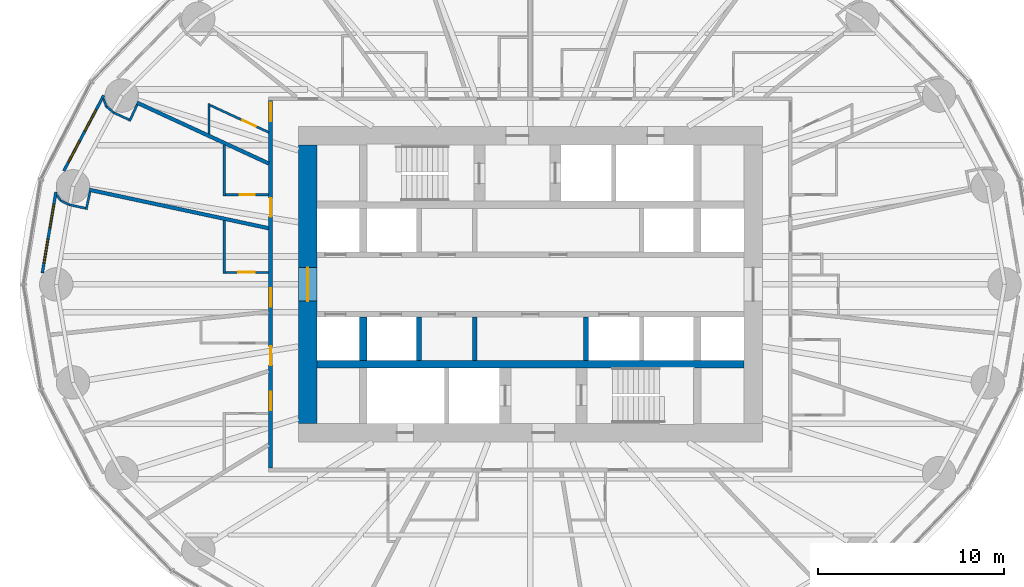
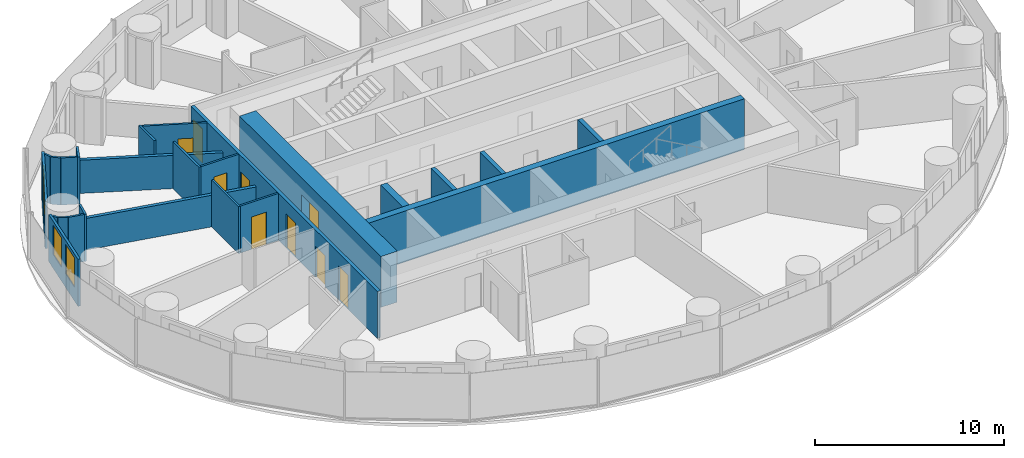
# One storey, part 7 of 13: 25 walls, 9 doors, 4 windows, 13 openings.
"""IFC4 building model written with IfcOpenShell, lengths in metres."""

from ifc_helpers import new_model, si_unit, direction, frame, frame_2d, origin, place, context, subcontext, project, spatial, rectangle, extrude, material, layer, layer_set, type_object, element, fill, save


model = new_model("IFC4")

# Units and contexts
model_context = context("Model", 3, precision=1e-05, world=origin(), true_north=direction((0.0, 1.0)))
body_context = subcontext(model_context, "Body", "Model", "MODEL_VIEW")
ifc_project = project(units=[si_unit("LENGTHUNIT", "METRE"), si_unit("AREAUNIT", "SQUARE_METRE"), si_unit("VOLUMEUNIT", "CUBIC_METRE"), si_unit("PLANEANGLEUNIT", "RADIAN"), si_unit("MASSUNIT", "GRAM", prefix="KILO")], contexts=[model_context])

# Site, building, storey
site_placement = place(None, origin())
site = spatial("IfcSite", under=ifc_project, at=site_placement, CompositionType="ELEMENT")
building_placement = place(site_placement, origin())
building = spatial("IfcBuilding", under=site, at=building_placement, Name="Hankou Lantern Tower", CompositionType="ELEMENT")
storey_placement = place(building_placement, frame((0.0, 0.0, 42.60009765625)))
storey = spatial("IfcBuildingStorey", under=building, at=storey_placement, Name="L09", CompositionType="ELEMENT", Elevation=42.60009765625)

# Wall, opening, door
ifc_material_1 = material(Name="Concrete C60", Category="concrete")
ifc_layer_1 = layer(ifc_material_1, 1.0)
ifc_layer_set_1 = layer_set([ifc_layer_1], Name="Concrete C60")
wall_type_1 = type_object("IfcWallType", Name="CW1 CORE WALL 1000", PredefinedType="SHEAR", material=ifc_layer_set_1)
wall_1_placement = place(storey_placement, frame((-12.0, 7.5, 0.0), z_axis=(0.0, 0.0, 1.0), x_axis=(0.0, -1.0, 0.0)))
wall_1 = element("IfcWall", 1, at=wall_1_placement, inside=storey, type_object=wall_type_1, Name="Core wall west L09", PredefinedType="SHEAR", context=body_context, shape_type="SweptSolid", body=[
    extrude(rectangle(XDim=15.0, YDim=1.0, at=frame_2d((7.5, 0.0))), origin(), (0.0, 0.0, 1.0), 3.2998046875),
])
opening_1_placement = place(wall_1_placement, frame((6.60009765625, 0.0, 0.0)))
opening_1 = element("IfcOpeningElement", 2, at=opening_1_placement, cuts=wall_1, Name="Opening D6", PredefinedType="OPENING", context=body_context, shape_type="SweptSolid", body=[
    extrude(rectangle(XDim=1.800048828125, YDim=2.199951171875, at=frame_2d((0.89990234375, 1.10009765625))), frame((0.0, 0.510009765625, 0.0), z_axis=(0.0, -1.0, 0.0), x_axis=(1.0, 0.0, 0.0)), (0.0, 0.0, 1.0), 1.02001953125),
])
ifc_material_2 = material(Name="Steel door leaf", Category="steel")
door_type_1 = type_object("IfcDoorType", Name="D6 LIFT LOBBY DOOR 1800X2200", OperationType="DOUBLE_DOOR_DOUBLE_SWING", PredefinedType="DOOR", material=ifc_material_2)
door_1_placement = place(opening_1_placement, origin())
door_1 = element("IfcDoor", 3, at=door_1_placement, inside=storey, type_object=door_type_1, Name="Lift lobby west door", OperationType="DOUBLE_DOOR_DOUBLE_SWING", OverallHeight=2.199951171875, OverallWidth=1.800048828125, PredefinedType="DOOR", context=body_context, shape_type="SweptSolid", body=[
    extrude(rectangle(XDim=1.800048828125, YDim=2.199951171875, at=frame_2d((0.89990234375, 1.10009765625))), frame((0.0, 0.02490234375, 0.0), z_axis=(0.0, -1.0, 0.0), x_axis=(1.0, 0.0, 0.0)), (0.0, 0.0, 1.0), 0.050048828125),
])
fill(opening_1, door_1)

# Walls
ifc_material_3 = material(Name="Concrete C60", Category="concrete")
ifc_layer_2 = layer(ifc_material_3, 0.39990234375)
ifc_layer_set_2 = layer_set([ifc_layer_2], Name="Concrete C60")
wall_type_2 = type_object("IfcWallType", Name="CW4 CORE CROSS WALL 400", PredefinedType="SHEAR", material=ifc_layer_set_2)
wall_2_placement = place(storey_placement, frame((-11.5, -4.300048828125, 0.0), z_axis=(0.0, 0.0, 1.0), x_axis=(1.0, 0.0, 0.0)))
element("IfcWall", 4, at=wall_2_placement, inside=storey, type_object=wall_type_2, Name="Core band wall south L09", PredefinedType="SHEAR", context=body_context, shape_type="SweptSolid", body=[
    extrude(rectangle(XDim=23.0, YDim=0.39990234375, at=frame_2d((11.5, 0.0))), origin(), (0.0, 0.0, 1.0), 3.2998046875),
])
wall_3_placement = place(storey_placement, frame((-9.0, -4.10009765625, 0.0), z_axis=(0.0, 0.0, 1.0), x_axis=(0.0, 1.0, 0.0)))
element("IfcWall", 5, at=wall_3_placement, inside=storey, type_object=wall_type_2, Name="Core strip wall L09", PredefinedType="SHEAR", context=body_context, shape_type="SweptSolid", body=[
    extrude(rectangle(XDim=2.35009765625, YDim=0.39990234375, at=frame_2d((1.175048828125, 0.0))), origin(), (0.0, 0.0, 1.0), 3.2998046875),
])

# Wall, openings, windows
ifc_material_4 = material(Name="Aluminium spandrel panel on steel studs", Category="steel")
ifc_layer_3 = layer(ifc_material_4, 0.14990234375)
ifc_layer_set_3 = layer_set([ifc_layer_3], Name="Aluminium spandrel panel on steel studs")
wall_type_3 = type_object("IfcWallType", Name="EW1 INNER SKIN WALL 150", PredefinedType="ELEMENTEDWALL", material=ifc_layer_set_3)
wall_4_placement = place(storey_placement, frame((-22.986083984375, 10.185302734375, 0.0), z_axis=(0.0, 0.0, 1.0), x_axis=(-0.467303182954, -0.884097129959, 0.0)))
wall_4 = element("IfcWall", 6, at=wall_4_placement, inside=storey, type_object=wall_type_3, Name="Inner skin R11-R12 L09", PredefinedType="ELEMENTEDWALL", context=body_context, shape_type="SweptSolid", body=[
    extrude(rectangle(XDim=4.6064453125, YDim=0.14990234375, at=frame_2d((2.30322265625, 0.0))), origin(), (0.0, 0.0, 1.0), 3.0498046875),
])
opening_2_placement = place(wall_4_placement, frame((0.874755859375, 0.0, 0.89990234375)))
opening_2 = element("IfcOpeningElement", 7, at=opening_2_placement, cuts=wall_4, Name="Opening W9", PredefinedType="OPENING", context=body_context, shape_type="SweptSolid", body=[
    extrude(rectangle(XDim=1.300048828125, YDim=1.89990234375, at=frame_2d((0.64990234375, 0.949951171875))), frame((0.0, 0.0849609375, 0.0), z_axis=(0.0, -1.0, 0.0), x_axis=(1.0, 0.0, 0.0)), (0.0, 0.0, 1.0), 0.169921875),
])
opening_3_placement = place(wall_4_placement, frame((2.77490234375, 0.0, 0.89990234375)))
opening_3 = element("IfcOpeningElement", 8, at=opening_3_placement, cuts=wall_4, Name="Opening W9", PredefinedType="OPENING", context=body_context, shape_type="SweptSolid", body=[
    extrude(rectangle(XDim=1.300048828125, YDim=1.89990234375, at=frame_2d((0.64990234375, 0.949951171875))), frame((0.0, 0.0849609375, 0.0), z_axis=(0.0, -1.0, 0.0), x_axis=(1.0, 0.0, 0.0)), (0.0, 0.0, 1.0), 0.169921875),
])
ifc_material_5 = material(Name="Aluminium framed double glazed window", Category="aluminium")
window_type = type_object("IfcWindowType", Name="W9 GUEST ROOM WINDOW 1300X1900", PartitioningType="DOUBLE_PANEL_VERTICAL", PredefinedType="WINDOW", material=ifc_material_5)
window_1_placement = place(opening_2_placement, origin())
window_1 = element("IfcWindow", 9, at=window_1_placement, inside=storey, type_object=window_type, Name="Window R11.1 L09", OverallHeight=1.89990234375, OverallWidth=1.300048828125, PartitioningType="SINGLE_PANEL", PredefinedType="WINDOW", context=body_context, shape_type="SweptSolid", body=[
    extrude(rectangle(XDim=1.300048828125, YDim=1.89990234375, at=frame_2d((0.64990234375, 0.949951171875))), frame((0.0, 0.030029296875, 0.0), z_axis=(0.0, -1.0, 0.0), x_axis=(1.0, 0.0, 0.0)), (0.0, 0.0, 1.0), 0.06005859375),
])
fill(opening_2, window_1)
window_2_placement = place(opening_3_placement, origin())
window_2 = element("IfcWindow", 10, at=window_2_placement, inside=storey, type_object=window_type, Name="Window R11.2 L09", OverallHeight=1.89990234375, OverallWidth=1.300048828125, PartitioningType="SINGLE_PANEL", PredefinedType="WINDOW", context=body_context, shape_type="SweptSolid", body=[
    extrude(rectangle(XDim=1.300048828125, YDim=1.89990234375, at=frame_2d((0.64990234375, 0.949951171875))), frame((0.0, 0.030029296875, 0.0), z_axis=(0.0, -1.0, 0.0), x_axis=(1.0, 0.0, 0.0)), (0.0, 0.0, 1.0), 0.06005859375),
])
fill(opening_3, window_2)

wall_5_placement = place(storey_placement, frame((-25.56396484375, 4.9775390625, 0.0), z_axis=(0.0, 0.0, 1.0), x_axis=(-0.165641751141, -0.986185991727, 0.0)))
wall_5 = element("IfcWall", 11, at=wall_5_placement, inside=storey, type_object=wall_type_3, Name="Inner skin R12-R13 L09", PredefinedType="ELEMENTEDWALL", context=body_context, shape_type="SweptSolid", body=[
    extrude(rectangle(XDim=4.427734375, YDim=0.14990234375, at=frame_2d((2.2138671875, 0.0))), origin(), (0.0, 0.0, 1.0), 3.0498046875),
])
opening_4_placement = place(wall_5_placement, frame((0.677734375, 0.0, 0.89990234375)))
opening_4 = element("IfcOpeningElement", 12, at=opening_4_placement, cuts=wall_5, Name="Opening W9", PredefinedType="OPENING", context=body_context, shape_type="SweptSolid", body=[
    extrude(rectangle(XDim=1.300048828125, YDim=1.89990234375, at=frame_2d((0.64990234375, 0.949951171875))), frame((0.0, 0.0849609375, 0.0), z_axis=(0.0, -1.0, 0.0), x_axis=(1.0, 0.0, 0.0)), (0.0, 0.0, 1.0), 0.169921875),
])
opening_5_placement = place(wall_5_placement, frame((2.57763671875, 0.0, 0.89990234375)))
opening_5 = element("IfcOpeningElement", 13, at=opening_5_placement, cuts=wall_5, Name="Opening W9", PredefinedType="OPENING", context=body_context, shape_type="SweptSolid", body=[
    extrude(rectangle(XDim=1.300048828125, YDim=1.89990234375, at=frame_2d((0.64990234375, 0.949951171875))), frame((0.0, 0.0849609375, 0.0), z_axis=(0.0, -1.0, 0.0), x_axis=(1.0, 0.0, 0.0)), (0.0, 0.0, 1.0), 0.169921875),
])
window_3_placement = place(opening_4_placement, origin())
window_3 = element("IfcWindow", 14, at=window_3_placement, inside=storey, type_object=window_type, Name="Window R12.1 L09", OverallHeight=1.89990234375, OverallWidth=1.300048828125, PartitioningType="SINGLE_PANEL", PredefinedType="WINDOW", context=body_context, shape_type="SweptSolid", body=[
    extrude(rectangle(XDim=1.300048828125, YDim=1.89990234375, at=frame_2d((0.64990234375, 0.949951171875))), frame((0.0, 0.030029296875, 0.0), z_axis=(0.0, -1.0, 0.0), x_axis=(1.0, 0.0, 0.0)), (0.0, 0.0, 1.0), 0.06005859375),
])
fill(opening_4, window_3)
window_4_placement = place(opening_5_placement, origin())
window_4 = element("IfcWindow", 15, at=window_4_placement, inside=storey, type_object=window_type, Name="Window R12.2 L09", OverallHeight=1.89990234375, OverallWidth=1.300048828125, PartitioningType="SINGLE_PANEL", PredefinedType="WINDOW", context=body_context, shape_type="SweptSolid", body=[
    extrude(rectangle(XDim=1.300048828125, YDim=1.89990234375, at=frame_2d((0.64990234375, 0.949951171875))), frame((0.0, 0.030029296875, 0.0), z_axis=(0.0, -1.0, 0.0), x_axis=(1.0, 0.0, 0.0)), (0.0, 0.0, 1.0), 0.06005859375),
])
fill(opening_5, window_4)

# Walls
ifc_material_6 = material(Name="Masonry lightweight concrete block", Category="masonry")
ifc_layer_4 = layer(ifc_material_6, 0.199951171875)
ifc_layer_set_4 = layer_set([ifc_layer_4], Name="Masonry lightweight concrete block")
wall_type_4 = type_object("IfcWallType", Name="IW1 GUEST ROOM PARTY WALL 200", PredefinedType="PARTITIONING", material=ifc_layer_set_4)
wall_6_placement = place(storey_placement, frame((-14.10009765625, 6.512451171875, 0.0), z_axis=(0.0, 0.0, 1.0), x_axis=(-0.907842433118, 0.41931147925, 0.0)))
element("IfcWall", 16, at=wall_6_placement, inside=storey, type_object=wall_type_4, Name="Party wall R11", PredefinedType="PARTITIONING", context=body_context, shape_type="SweptSolid", body=[
    extrude(rectangle(XDim=7.822998046875, YDim=0.199951171875, at=frame_2d((3.91162109375, 0.0))), origin(), (0.0, 0.0, 1.0), 2.14990234375),
])
wall_7_placement = place(storey_placement, frame((-14.10009765625, 3.0224609375, 0.0), z_axis=(0.0, 0.0, 1.0), x_axis=(-0.977786510688, 0.209603290805, 0.0)))
element("IfcWall", 17, at=wall_7_placement, inside=storey, type_object=wall_type_4, Name="Party wall R12", PredefinedType="PARTITIONING", context=body_context, shape_type="SweptSolid", body=[
    extrude(rectangle(XDim=9.88671875, YDim=0.199951171875, at=frame_2d((4.943359375, 0.0))), origin(), (0.0, 0.0, 1.0), 2.0498046875),
])

# Wall, openings, doors
ifc_material_7 = material(Name="Masonry lightweight concrete block", Category="masonry")
ifc_layer_5 = layer(ifc_material_7, 0.199951171875)
ifc_layer_set_5 = layer_set([ifc_layer_5], Name="Masonry lightweight concrete block")
wall_type_5 = type_object("IfcWallType", Name="IW2 CORRIDOR WALL 200", PredefinedType="PARTITIONING", material=ifc_layer_set_5)
wall_8_placement = place(storey_placement, frame((-14.0, 9.89990234375, 0.0), z_axis=(0.0, 0.0, 1.0), x_axis=(0.0, -1.0, 0.0)))
wall_8 = element("IfcWall", 18, at=wall_8_placement, inside=storey, type_object=wall_type_5, Name="Corridor wall west", PredefinedType="PARTITIONING", context=body_context, shape_type="SweptSolid", body=[
    extrude(rectangle(XDim=19.7998046875, YDim=0.199951171875, at=frame_2d((9.89990234375, 0.0))), origin(), (0.0, 0.0, 1.0), 3.0498046875),
])
opening_6_placement = place(wall_8_placement, frame((0.1025390625, 0.0, 0.0)))
opening_6 = element("IfcOpeningElement", 19, at=opening_6_placement, cuts=wall_8, Name="Opening D1", PredefinedType="OPENING", context=body_context, shape_type="SweptSolid", body=[
    extrude(rectangle(XDim=1.0, YDim=2.199951171875, at=frame_2d((0.5, 1.10009765625))), frame((0.0, 0.10986328125, 0.0), z_axis=(0.0, -1.0, 0.0), x_axis=(1.0, 0.0, 0.0)), (0.0, 0.0, 1.0), 0.219970703125),
])
opening_7_placement = place(wall_8_placement, frame((5.25244140625, 0.0, 0.0)))
opening_7 = element("IfcOpeningElement", 20, at=opening_7_placement, cuts=wall_8, Name="Opening D35", PredefinedType="OPENING", context=body_context, shape_type="SweptSolid", body=[
    extrude(rectangle(XDim=1.0, YDim=2.0, at=frame_2d((0.5, 1.0))), frame((0.0, 0.10986328125, 0.0), z_axis=(0.0, -1.0, 0.0), x_axis=(1.0, 0.0, 0.0)), (0.0, 0.0, 1.0), 0.219970703125),
])
opening_8_placement = place(wall_8_placement, frame((10.117431640625, 0.0, 0.0)))
opening_8 = element("IfcOpeningElement", 21, at=opening_8_placement, cuts=wall_8, Name="Opening D1", PredefinedType="OPENING", context=body_context, shape_type="SweptSolid", body=[
    extrude(rectangle(XDim=1.0, YDim=2.199951171875, at=frame_2d((0.5, 1.10009765625))), frame((0.0, 0.10986328125, 0.0), z_axis=(0.0, -1.0, 0.0), x_axis=(1.0, 0.0, 0.0)), (0.0, 0.0, 1.0), 0.219970703125),
])
opening_9_placement = place(wall_8_placement, frame((13.2470703125, 0.0, 0.0)))
opening_9 = element("IfcOpeningElement", 22, at=opening_9_placement, cuts=wall_8, Name="Opening D35", PredefinedType="OPENING", context=body_context, shape_type="SweptSolid", body=[
    extrude(rectangle(XDim=1.0, YDim=2.0, at=frame_2d((0.5, 1.0))), frame((0.0, 0.10986328125, 0.0), z_axis=(0.0, -1.0, 0.0), x_axis=(1.0, 0.0, 0.0)), (0.0, 0.0, 1.0), 0.219970703125),
])
opening_10_placement = place(wall_8_placement, frame((15.678955078125, 0.0, 0.0)))
opening_10 = element("IfcOpeningElement", 23, at=opening_10_placement, cuts=wall_8, Name="Opening D1", PredefinedType="OPENING", context=body_context, shape_type="SweptSolid", body=[
    extrude(rectangle(XDim=1.0, YDim=2.199951171875, at=frame_2d((0.5, 1.10009765625))), frame((0.0, 0.10986328125, 0.0), z_axis=(0.0, -1.0, 0.0), x_axis=(1.0, 0.0, 0.0)), (0.0, 0.0, 1.0), 0.219970703125),
])
ifc_material_8 = material(Name="Steel door leaf", Category="steel")
door_type_2 = type_object("IfcDoorType", Name="D1 GUEST ROOM DOOR 1000X2200", OperationType="SINGLE_SWING_LEFT", PredefinedType="DOOR", material=ifc_material_8)
door_2_placement = place(opening_6_placement, origin())
door_2 = element("IfcDoor", 24, at=door_2_placement, inside=storey, type_object=door_type_2, Name="Guest room door 0910", OperationType="SINGLE_SWING_LEFT", OverallHeight=2.199951171875, OverallWidth=1.0, PredefinedType="DOOR", context=body_context, shape_type="SweptSolid", body=[
    extrude(rectangle(XDim=1.0, YDim=2.199951171875, at=frame_2d((0.5, 1.10009765625))), frame((0.0, 0.02490234375, 0.0), z_axis=(0.0, -1.0, 0.0), x_axis=(1.0, 0.0, 0.0)), (0.0, 0.0, 1.0), 0.050048828125),
])
fill(opening_6, door_2)
door_3_placement = place(opening_8_placement, origin())
door_3 = element("IfcDoor", 25, at=door_3_placement, inside=storey, type_object=door_type_2, Name="Guest room door 0912", OperationType="SINGLE_SWING_RIGHT", OverallHeight=2.199951171875, OverallWidth=1.0, PredefinedType="DOOR", context=body_context, shape_type="SweptSolid", body=[
    extrude(rectangle(XDim=1.0, YDim=2.199951171875, at=frame_2d((0.5, 1.10009765625))), frame((0.0, 0.02490234375, 0.0), z_axis=(0.0, -1.0, 0.0), x_axis=(1.0, 0.0, 0.0)), (0.0, 0.0, 1.0), 0.050048828125),
])
fill(opening_8, door_3)
door_4_placement = place(opening_10_placement, origin())
door_4 = element("IfcDoor", 26, at=door_4_placement, inside=storey, type_object=door_type_2, Name="Guest room door 0914", OperationType="SINGLE_SWING_RIGHT", OverallHeight=2.199951171875, OverallWidth=1.0, PredefinedType="DOOR", context=body_context, shape_type="SweptSolid", body=[
    extrude(rectangle(XDim=1.0, YDim=2.199951171875, at=frame_2d((0.5, 1.10009765625))), frame((0.0, 0.02490234375, 0.0), z_axis=(0.0, -1.0, 0.0), x_axis=(1.0, 0.0, 0.0)), (0.0, 0.0, 1.0), 0.050048828125),
])
fill(opening_10, door_4)
ifc_material_9 = material(Name="Steel door leaf", Category="steel")
door_type_3 = type_object("IfcDoorType", Name="D35 GUEST ROOM DOOR 1000X2000", OperationType="SINGLE_SWING_LEFT", PredefinedType="DOOR", material=ifc_material_9)
door_5_placement = place(opening_7_placement, origin())
door_5 = element("IfcDoor", 27, at=door_5_placement, inside=storey, type_object=door_type_3, Name="Guest room door 0911", OperationType="SINGLE_SWING_LEFT", OverallHeight=2.0, OverallWidth=1.0, PredefinedType="DOOR", context=body_context, shape_type="SweptSolid", body=[
    extrude(rectangle(XDim=1.0, YDim=2.0, at=frame_2d((0.5, 1.0))), frame((0.0, 0.02490234375, 0.0), z_axis=(0.0, -1.0, 0.0), x_axis=(1.0, 0.0, 0.0)), (0.0, 0.0, 1.0), 0.050048828125),
])
fill(opening_7, door_5)
door_6_placement = place(opening_9_placement, origin())
door_6 = element("IfcDoor", 28, at=door_6_placement, inside=storey, type_object=door_type_3, Name="Guest room door 0913", OperationType="SINGLE_SWING_RIGHT", OverallHeight=2.0, OverallWidth=1.0, PredefinedType="DOOR", context=body_context, shape_type="SweptSolid", body=[
    extrude(rectangle(XDim=1.0, YDim=2.0, at=frame_2d((0.5, 1.0))), frame((0.0, 0.02490234375, 0.0), z_axis=(0.0, -1.0, 0.0), x_axis=(1.0, 0.0, 0.0)), (0.0, 0.0, 1.0), 0.050048828125),
])
fill(opening_9, door_6)

# Wall
ifc_material_10 = material(Name="Masonry lightweight concrete block", Category="masonry")
ifc_layer_6 = layer(ifc_material_10, 0.1201171875)
ifc_layer_set_6 = layer_set([ifc_layer_6], Name="Masonry lightweight concrete block")
wall_type_6 = type_object("IfcWallType", Name="IW3 BATHROOM WALL 120", PredefinedType="PARTITIONING", material=ifc_layer_set_6)
wall_9_placement = place(storey_placement, frame((-17.32275390625, 8.10107421875, 0.0), z_axis=(0.0, 0.0, 1.0), x_axis=(0.0, 1.0, 0.0)))
element("IfcWall", 29, at=wall_9_placement, inside=storey, type_object=wall_type_6, Name="Box wall 0910 1", PredefinedType="PARTITIONING", context=body_context, shape_type="SweptSolid", body=[
    extrude(rectangle(XDim=1.639892578125, YDim=0.1201171875, at=frame_2d((0.81982421875, 0.0))), origin(), (0.0, 0.0, 1.0), 3.0498046875),
])

# Wall, opening, door
wall_10_placement = place(storey_placement, frame((-14.10009765625, 8.192626953125, 0.0), z_axis=(0.0, 0.0, 1.0), x_axis=(-0.907836493557, 0.419324338628, 0.0)))
wall_10 = element("IfcWall", 30, at=wall_10_placement, inside=storey, type_object=wall_type_6, Name="Box wall 0910 1", PredefinedType="PARTITIONING", context=body_context, shape_type="SweptSolid", body=[
    extrude(rectangle(XDim=3.48974609375, YDim=0.1201171875, at=frame_2d((1.744873046875, 0.0))), origin(), (0.0, 0.0, 1.0), 3.0498046875),
])
opening_11_placement = place(wall_10_placement, frame((0.75, 0.0, 0.0)))
opening_11 = element("IfcOpeningElement", 31, at=opening_11_placement, cuts=wall_10, Name="Opening D3", PredefinedType="OPENING", context=body_context, shape_type="SweptSolid", body=[
    extrude(rectangle(XDim=0.800048828125, YDim=2.10009765625, at=frame_2d((0.39990234375, 1.050048828125))), frame((0.0, 0.070068359375, 0.0), z_axis=(0.0, -1.0, 0.0), x_axis=(1.0, 0.0, 0.0)), (0.0, 0.0, 1.0), 0.14013671875),
])
ifc_material_11 = material(Name="Timber door leaf", Category="wood")
door_type_4 = type_object("IfcDoorType", Name="D3 BATHROOM DOOR 800X2100", OperationType="SINGLE_SWING_LEFT", PredefinedType="DOOR", material=ifc_material_11)
door_7_placement = place(opening_11_placement, origin())
door_7 = element("IfcDoor", 32, at=door_7_placement, inside=storey, type_object=door_type_4, Name="En-suite bathroom 0910 door", OperationType="SINGLE_SWING_LEFT", OverallHeight=2.10009765625, OverallWidth=0.800048828125, PredefinedType="DOOR", context=body_context, shape_type="SweptSolid", body=[
    extrude(rectangle(XDim=0.800048828125, YDim=2.10009765625, at=frame_2d((0.39990234375, 1.050048828125))), frame((0.0, 0.02490234375, 0.0), z_axis=(0.0, -1.0, 0.0), x_axis=(1.0, 0.0, 0.0)), (0.0, 0.0, 1.0), 0.050048828125),
])
fill(opening_11, door_7)

# Wall
wall_11_placement = place(storey_placement, frame((-16.5, 7.52099609375, 0.0), z_axis=(0.0, 0.0, 1.0), x_axis=(0.0, -1.0, 0.0)))
element("IfcWall", 33, at=wall_11_placement, inside=storey, type_object=wall_type_6, Name="Box wall 0911 1", PredefinedType="PARTITIONING", context=body_context, shape_type="SweptSolid", body=[
    extrude(rectangle(XDim=2.74853515625, YDim=0.1201171875, at=frame_2d((1.374267578125, 0.0))), origin(), (0.0, 0.0, 1.0), 3.0498046875),
])

# Wall, opening, door
wall_12_placement = place(storey_placement, frame((-14.10009765625, 4.83251953125, 0.0), z_axis=(0.0, 0.0, 1.0), x_axis=(-1.0, 0.0, 0.0)))
wall_12 = element("IfcWall", 34, at=wall_12_placement, inside=storey, type_object=wall_type_6, Name="Box wall 0911 1", PredefinedType="PARTITIONING", context=body_context, shape_type="SweptSolid", body=[
    extrude(rectangle(XDim=2.33984375, YDim=0.1201171875, at=frame_2d((1.169921875, 0.0))), origin(), (0.0, 0.0, 1.0), 3.0498046875),
])
opening_12_placement = place(wall_12_placement, frame((0.75, 0.0, 0.0)))
opening_12 = element("IfcOpeningElement", 35, at=opening_12_placement, cuts=wall_12, Name="Opening D3", PredefinedType="OPENING", context=body_context, shape_type="SweptSolid", body=[
    extrude(rectangle(XDim=0.800048828125, YDim=2.10009765625, at=frame_2d((0.39990234375, 1.050048828125))), frame((0.0, 0.070068359375, 0.0), z_axis=(0.0, -1.0, 0.0), x_axis=(1.0, 0.0, 0.0)), (0.0, 0.0, 1.0), 0.14013671875),
])
door_8_placement = place(opening_12_placement, origin())
door_8 = element("IfcDoor", 36, at=door_8_placement, inside=storey, type_object=door_type_4, Name="En-suite bathroom 0911 door", OperationType="SINGLE_SWING_LEFT", OverallHeight=2.10009765625, OverallWidth=0.800048828125, PredefinedType="DOOR", context=body_context, shape_type="SweptSolid", body=[
    extrude(rectangle(XDim=0.800048828125, YDim=2.10009765625, at=frame_2d((0.39990234375, 1.050048828125))), frame((0.0, 0.02490234375, 0.0), z_axis=(0.0, -1.0, 0.0), x_axis=(1.0, 0.0, 0.0)), (0.0, 0.0, 1.0), 0.050048828125),
])
fill(opening_12, door_8)

# Wall
wall_13_placement = place(storey_placement, frame((-16.5, 3.43701171875, 0.0), z_axis=(0.0, 0.0, 1.0), x_axis=(0.0, -1.0, 0.0)))
element("IfcWall", 37, at=wall_13_placement, inside=storey, type_object=wall_type_6, Name="Box wall 0912 1", PredefinedType="PARTITIONING", context=body_context, shape_type="SweptSolid", body=[
    extrude(rectangle(XDim=2.8544921875, YDim=0.1201171875, at=frame_2d((1.42724609375, 0.0))), origin(), (0.0, 0.0, 1.0), 3.0498046875),
])

# Wall, opening, door
wall_14_placement = place(storey_placement, frame((-14.10009765625, 0.642578125, 0.0), z_axis=(0.0, 0.0, 1.0), x_axis=(-1.0, 0.0, 0.0)))
wall_14 = element("IfcWall", 38, at=wall_14_placement, inside=storey, type_object=wall_type_6, Name="Box wall 0912 1", PredefinedType="PARTITIONING", context=body_context, shape_type="SweptSolid", body=[
    extrude(rectangle(XDim=2.33984375, YDim=0.1201171875, at=frame_2d((1.169921875, 0.0))), origin(), (0.0, 0.0, 1.0), 3.0498046875),
])
opening_13_placement = place(wall_14_placement, frame((0.75, 0.0, 0.0)))
opening_13 = element("IfcOpeningElement", 39, at=opening_13_placement, cuts=wall_14, Name="Opening D26", PredefinedType="OPENING", context=body_context, shape_type="SweptSolid", body=[
    extrude(rectangle(XDim=0.89990234375, YDim=2.10009765625, at=frame_2d((0.449951171875, 1.050048828125))), frame((0.0, 0.070068359375, 0.0), z_axis=(0.0, -1.0, 0.0), x_axis=(1.0, 0.0, 0.0)), (0.0, 0.0, 1.0), 0.14013671875),
])
ifc_material_12 = material(Name="Timber door leaf", Category="wood")
door_type_5 = type_object("IfcDoorType", Name="D26 ACCESSIBLE BATHROOM DOOR 900X2100", OperationType="SLIDING_TO_LEFT", PredefinedType="DOOR", material=ifc_material_12)
door_9_placement = place(opening_13_placement, origin())
door_9 = element("IfcDoor", 40, at=door_9_placement, inside=storey, type_object=door_type_5, Name="Accessible bathroom 0912 door", OperationType="SLIDING_TO_LEFT", OverallHeight=2.10009765625, OverallWidth=0.89990234375, PredefinedType="DOOR", context=body_context, shape_type="SweptSolid", body=[
    extrude(rectangle(XDim=0.89990234375, YDim=2.10009765625, at=frame_2d((0.449951171875, 1.050048828125))), frame((0.0, 0.02490234375, 0.0), z_axis=(0.0, -1.0, 0.0), x_axis=(1.0, 0.0, 0.0)), (0.0, 0.0, 1.0), 0.050048828125),
])
fill(opening_13, door_9)

# Walls
ifc_material_13 = material(Name="Masonry lightweight concrete block", Category="masonry")
ifc_layer_7 = layer(ifc_material_13, 0.1201171875)
ifc_layer_set_7 = layer_set([ifc_layer_7], Name="Masonry lightweight concrete block")
wall_type_7 = type_object("IfcWallType", Name="IW4 PARTITION 120", PredefinedType="PARTITIONING", material=ifc_layer_set_7)
wall_15_placement = place(storey_placement, frame((-21.189453125, 9.6767578125, 0.0), z_axis=(0.0, 0.0, 1.0), x_axis=(-0.419344098106, -0.907827366509, 0.0)))
element("IfcWall", 41, at=wall_15_placement, inside=storey, type_object=wall_type_7, Name="Column casing R11 return", PredefinedType="PARTITIONING", context=body_context, shape_type="SweptSolid", body=[
    extrude(rectangle(XDim=0.974609375, YDim=0.1201171875, at=frame_2d((0.4873046875, 0.0))), origin(), (0.0, 0.0, 1.0), 3.0498046875),
])
wall_16_placement = place(storey_placement, frame((-21.62744140625, 8.871826171875, 0.0), z_axis=(0.0, 0.0, 1.0), x_axis=(-0.907935564339, 0.419109783957, 0.0)))
element("IfcWall", 42, at=wall_16_placement, inside=storey, type_object=wall_type_7, Name="Column casing R11", PredefinedType="PARTITIONING", context=body_context, shape_type="SweptSolid", body=[
    extrude(rectangle(XDim=0.89990234375, YDim=0.1201171875, at=frame_2d((0.449951171875, 0.0))), origin(), (0.0, 0.0, 1.0), 3.0498046875),
])
wall_17_placement = place(storey_placement, frame((-22.444580078125, 9.2490234375, 0.0), z_axis=(0.0, 0.0, 1.0), x_axis=(-0.768335565584, 0.640047231584, 0.0)))
element("IfcWall", 43, at=wall_17_placement, inside=storey, type_object=wall_type_7, Name="Column casing R11", PredefinedType="PARTITIONING", context=body_context, shape_type="SweptSolid", body=[
    extrude(rectangle(XDim=0.525146484375, YDim=0.1201171875, at=frame_2d((0.2626953125, 0.0))), origin(), (0.0, 0.0, 1.0), 3.0498046875),
])
wall_18_placement = place(storey_placement, frame((-22.84814453125, 9.585205078125, 0.0), z_axis=(0.0, 0.0, 1.0), x_axis=(-0.345267312673, 0.938504386138, 0.0)))
element("IfcWall", 44, at=wall_18_placement, inside=storey, type_object=wall_type_7, Name="Column casing R11", PredefinedType="PARTITIONING", context=body_context, shape_type="SweptSolid", body=[
    extrude(rectangle(XDim=0.439208984375, YDim=0.1201171875, at=frame_2d((0.2197265625, 0.0))), origin(), (0.0, 0.0, 1.0), 3.0498046875),
])
wall_19_placement = place(storey_placement, frame((-23.729248046875, 4.984375, 0.0), z_axis=(0.0, 0.0, 1.0), x_axis=(-0.20968306268, -0.977769406979, 0.0)))
element("IfcWall", 45, at=wall_19_placement, inside=storey, type_object=wall_type_7, Name="Column casing R12 return", PredefinedType="PARTITIONING", context=body_context, shape_type="SweptSolid", body=[
    extrude(rectangle(XDim=0.974609375, YDim=0.1201171875, at=frame_2d((0.4873046875, 0.0))), origin(), (0.0, 0.0, 1.0), 3.0498046875),
])
wall_20_placement = place(storey_placement, frame((-23.979736328125, 4.1025390625, 0.0), z_axis=(0.0, 0.0, 1.0), x_axis=(-0.977762694187, 0.209714362543, 0.0)))
element("IfcWall", 46, at=wall_20_placement, inside=storey, type_object=wall_type_7, Name="Column casing R12", PredefinedType="PARTITIONING", context=body_context, shape_type="SweptSolid", body=[
    extrude(rectangle(XDim=0.89990234375, YDim=0.1201171875, at=frame_2d((0.449951171875, 0.0))), origin(), (0.0, 0.0, 1.0), 3.0498046875),
])
wall_21_placement = place(storey_placement, frame((-24.859619140625, 4.291259765625, 0.0), z_axis=(0.0, 0.0, 1.0), x_axis=(-0.890204323062, 0.455561481254, 0.0)))
element("IfcWall", 47, at=wall_21_placement, inside=storey, type_object=wall_type_7, Name="Column casing R12", PredefinedType="PARTITIONING", context=body_context, shape_type="SweptSolid", body=[
    extrude(rectangle(XDim=0.525146484375, YDim=0.1201171875, at=frame_2d((0.2626953125, 0.0))), origin(), (0.0, 0.0, 1.0), 3.0498046875),
])
wall_22_placement = place(storey_placement, frame((-25.3271484375, 4.530517578125, 0.0), z_axis=(0.0, 0.0, 1.0), x_axis=(-0.543516034791, 0.839398784801, 0.0)))
element("IfcWall", 48, at=wall_22_placement, inside=storey, type_object=wall_type_7, Name="Column casing R12", PredefinedType="PARTITIONING", context=body_context, shape_type="SweptSolid", body=[
    extrude(rectangle(XDim=0.343994140625, YDim=0.1201171875, at=frame_2d((0.171875, 0.0))), origin(), (0.0, 0.0, 1.0), 3.0498046875),
])
ifc_material_14 = material(Name="Masonry autoclaved aerated concrete block", Category="masonry")
ifc_layer_8 = layer(ifc_material_14, 0.25)
ifc_layer_set_8 = layer_set([ifc_layer_8], Name="Masonry autoclaved aerated concrete block")
wall_type_8 = type_object("IfcWallType", Name="SW1 SHAFT BLOCK WALL 250", PredefinedType="PARTITIONING", material=ifc_layer_set_8)
for number, where, z_axis, x_axis, name in (
    (49, (-6.0, -4.10009765625, 0.0), (0.0, 0.0, 1.0), (0.0, 1.0, 0.0), "Lift shaft wall L09"),
    (50, (-3.0, -4.10009765625, 0.0), (0.0, 0.0, 1.0), (0.0, 1.0, 0.0), "Lift shaft wall L09"),
    (51, (3.0, -4.10009765625, 0.0), (0.0, 0.0, 1.0), (0.0, 1.0, 0.0), "Lift shaft wall L09"),
):
    element("IfcWall", number, at=place(storey_placement, frame(where, z_axis=z_axis, x_axis=x_axis)), inside=storey, type_object=wall_type_8, Name=name, PredefinedType="PARTITIONING", context=body_context, shape_type="SweptSolid", body=[
        extrude(rectangle(XDim=2.35009765625, YDim=0.25, at=frame_2d((1.175048828125, 0.0))), origin(), (0.0, 0.0, 1.0), 3.2998046875),
    ])

save(model, "model.ifc")
